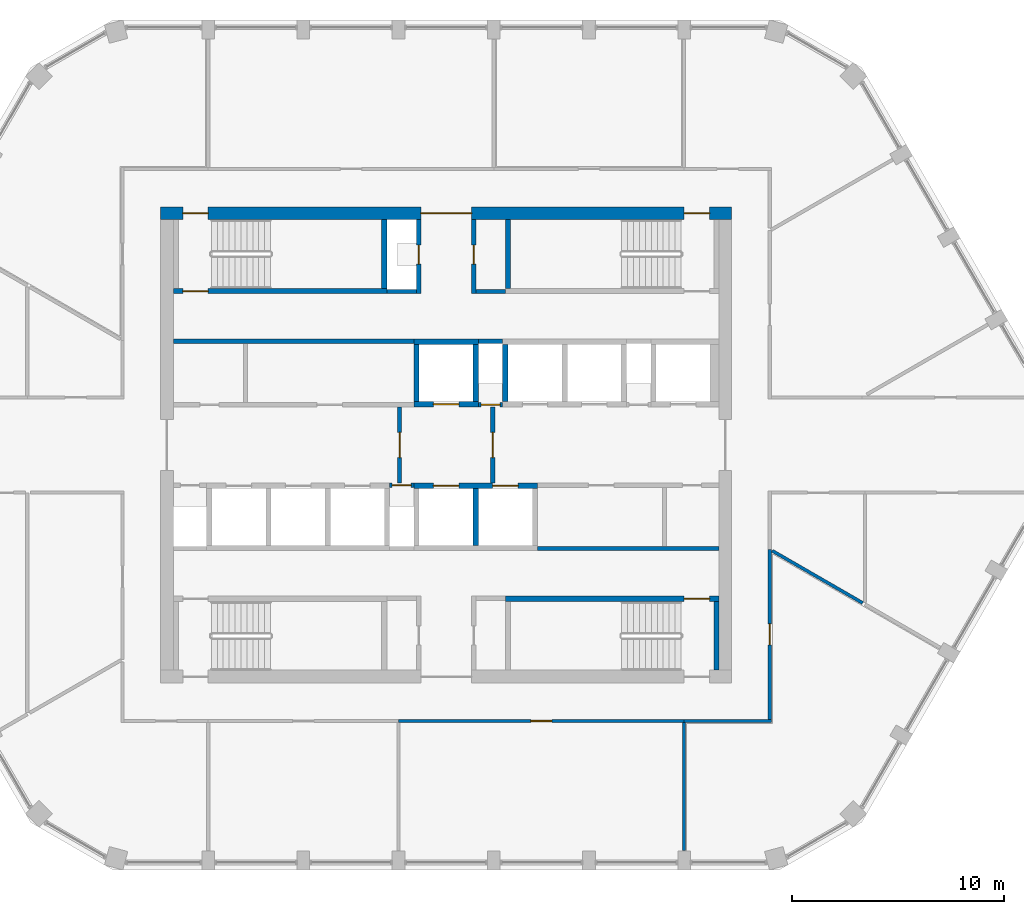
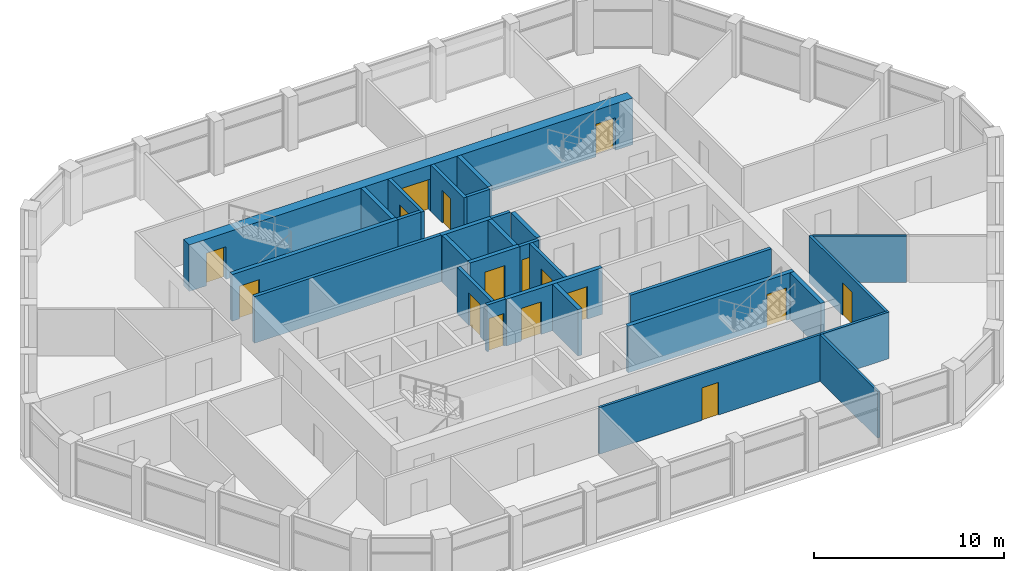
# One storey, part 10 of 15: 29 walls, 16 doors, 16 openings.
"""IFC4 building model written with IfcOpenShell, lengths in metres."""

from ifc_helpers import new_model, si_unit, direction, frame, frame_2d, origin, place, context, subcontext, project, spatial, polyline, rectangle, outline, extrude, material, layer, layer_set, type_object, element, fill, save


model = new_model("IFC4")

# Units and contexts
model_context = context("Model", 3, precision=1e-05, world=origin(), true_north=direction((0.0, 1.0)))
body_context = subcontext(model_context, "Body", "Model", "MODEL_VIEW")
ifc_project = project(units=[si_unit("LENGTHUNIT", "METRE"), si_unit("AREAUNIT", "SQUARE_METRE"), si_unit("VOLUMEUNIT", "CUBIC_METRE"), si_unit("PLANEANGLEUNIT", "RADIAN"), si_unit("MASSUNIT", "GRAM", prefix="KILO")], contexts=[model_context])

# Site, building, storey
site_placement = place(None, origin())
site = spatial("IfcSite", under=ifc_project, at=site_placement, CompositionType="ELEMENT")
building_placement = place(site_placement, origin())
building = spatial("IfcBuilding", under=site, at=building_placement, Name="Dhurran Vertical Campus", CompositionType="ELEMENT")
storey_placement = place(building_placement, frame((0.0, 0.0, 306.0)))
storey = spatial("IfcBuildingStorey", under=building, at=storey_placement, Name="L76", CompositionType="ELEMENT", Elevation=306.0)

# Wall, openings, doors
ifc_material_1 = material(Name="Concrete C50/60", Category="concrete")
ifc_layer_1 = layer(ifc_material_1, 0.60009765625)
ifc_layer_set_1 = layer_set([ifc_layer_1], Name="Concrete C50/60")
wall_type_1 = type_object("IfcWallType", Name="co-CORE-WALL-C2-600", PredefinedType="SHEAR", material=ifc_layer_set_1)
wall_1_placement = place(storey_placement, frame((-13.5, 10.949951171875, 0.0), z_axis=(0.0, 0.0, 1.0), x_axis=(1.0, 0.0, 0.0)))
wall_1 = element("IfcWall", 1, at=wall_1_placement, inside=storey, type_object=wall_type_1, Name="Core wall N L76", PredefinedType="SHEAR", context=body_context, shape_type="SweptSolid", body=[
    extrude(rectangle(XDim=27.0, YDim=0.60009765625, at=frame_2d((13.5, 0.0))), origin(), (0.0, 0.0, 1.0), 3.0),
])
opening_1_placement = place(wall_1_placement, frame((12.300048828125, 0.0, 0.0)))
opening_1 = element("IfcOpeningElement", 2, at=opening_1_placement, cuts=wall_1, Name="Opening CV1", PredefinedType="OPENING", context=body_context, shape_type="SweptSolid", body=[
    extrude(rectangle(XDim=2.39990234375, YDim=2.10009765625, at=frame_2d((1.199951171875, 1.050048828125))), frame((0.0, 0.31005859375, 0.0), z_axis=(0.0, -1.0, 0.0), x_axis=(1.0, 0.0, 0.0)), (0.0, 0.0, 1.0), 0.6201171875),
])
opening_2_placement = place(wall_1_placement, frame((1.050048828125, 0.0, 0.0)))
opening_2 = element("IfcOpeningElement", 3, at=opening_2_placement, cuts=wall_1, Name="Opening XD1", PredefinedType="OPENING", context=body_context, shape_type="SweptSolid", body=[
    extrude(rectangle(XDim=1.199951171875, YDim=2.10009765625, at=frame_2d((0.60009765625, 1.050048828125))), frame((0.0, 0.31005859375, 0.0), z_axis=(0.0, -1.0, 0.0), x_axis=(1.0, 0.0, 0.0)), (0.0, 0.0, 1.0), 0.6201171875),
])
opening_3_placement = place(wall_1_placement, frame((24.75, 0.0, 0.0)))
opening_3 = element("IfcOpeningElement", 4, at=opening_3_placement, cuts=wall_1, Name="Opening XD2", PredefinedType="OPENING", context=body_context, shape_type="SweptSolid", body=[
    extrude(rectangle(XDim=1.199951171875, YDim=2.10009765625, at=frame_2d((0.60009765625, 1.050048828125))), frame((0.0, 0.31005859375, 0.0), z_axis=(0.0, -1.0, 0.0), x_axis=(1.0, 0.0, 0.0)), (0.0, 0.0, 1.0), 0.6201171875),
])
ifc_material_2 = material(Name="Fire-rated glazed door set")
door_type_1 = type_object("IfcDoorType", Name="co-D-LOBBY 2400x2100", OperationType="DOUBLE_DOOR_DOUBLE_SWING", PredefinedType="DOOR", material=ifc_material_2)
door_1_placement = place(opening_1_placement, origin())
door_1 = element("IfcDoor", 5, at=door_1_placement, inside=storey, type_object=door_type_1, Name="Core vestibule door N L76", OperationType="DOUBLE_DOOR_DOUBLE_SWING", OverallHeight=2.10009765625, OverallWidth=2.39990234375, PredefinedType="DOOR", context=body_context, shape_type="SweptSolid", body=[
    extrude(rectangle(XDim=2.39990234375, YDim=2.10009765625, at=frame_2d((1.199951171875, 1.050048828125))), frame((0.0, 0.02490234375, 0.0), z_axis=(0.0, -1.0, 0.0), x_axis=(1.0, 0.0, 0.0)), (0.0, 0.0, 1.0), 0.050048828125),
])
fill(opening_1, door_1)
ifc_material_3 = material(Name="Fire-rated steel door set", Category="steel")
door_type_2 = type_object("IfcDoorType", Name="co-D-STAIR-EXIT 1200x2100", OperationType="SINGLE_SWING_RIGHT", PredefinedType="DOOR", material=ifc_material_3)
door_2_placement = place(opening_2_placement, origin())
door_2 = element("IfcDoor", 6, at=door_2_placement, inside=storey, type_object=door_type_2, Name="Stair ST1 exit door L76", OperationType="SINGLE_SWING_RIGHT", OverallHeight=2.10009765625, OverallWidth=1.199951171875, PredefinedType="DOOR", context=body_context, shape_type="SweptSolid", body=[
    extrude(rectangle(XDim=1.199951171875, YDim=2.10009765625, at=frame_2d((0.60009765625, 1.050048828125))), frame((0.0, 0.02490234375, 0.0), z_axis=(0.0, -1.0, 0.0), x_axis=(1.0, 0.0, 0.0)), (0.0, 0.0, 1.0), 0.050048828125),
])
fill(opening_2, door_2)
door_3_placement = place(opening_3_placement, origin())
door_3 = element("IfcDoor", 7, at=door_3_placement, inside=storey, type_object=door_type_2, Name="Stair ST2 exit door L76", OperationType="SINGLE_SWING_RIGHT", OverallHeight=2.10009765625, OverallWidth=1.199951171875, PredefinedType="DOOR", context=body_context, shape_type="SweptSolid", body=[
    extrude(rectangle(XDim=1.199951171875, YDim=2.10009765625, at=frame_2d((0.60009765625, 1.050048828125))), frame((0.0, 0.02490234375, 0.0), z_axis=(0.0, -1.0, 0.0), x_axis=(1.0, 0.0, 0.0)), (0.0, 0.0, 1.0), 0.050048828125),
])
fill(opening_3, door_3)

# Wall, opening, door
ifc_material_4 = material(Name="Fire-rated masonry blockwork", Category="masonry")
ifc_layer_2 = layer(ifc_material_4, 0.199951171875)
ifc_layer_set_2 = layer_set([ifc_layer_2], Name="Fire-rated masonry blockwork")
wall_type_2 = type_object("IfcWallType", Name="co-FIRE-PARTITION-200", PredefinedType="PARTITIONING", material=ifc_layer_set_2)
wall_2_placement = place(storey_placement, frame((-2.199951171875, -1.800048828125, 0.0), z_axis=(0.0, 0.0, 1.0), x_axis=(0.0, 1.0, 0.0)))
wall_2 = element("IfcWall", 8, at=wall_2_placement, inside=storey, type_object=wall_type_2, Name="Firefighting lobby wall W L76", PredefinedType="PARTITIONING", context=body_context, shape_type="SweptSolid", body=[
    extrude(rectangle(XDim=3.60009765625, YDim=0.199951171875, at=frame_2d((1.800048828125, 0.0))), origin(), (0.0, 0.0, 1.0), 3.0),
])
opening_4_placement = place(wall_2_placement, frame((1.199951171875, 0.0, 0.0)))
opening_4 = element("IfcOpeningElement", 9, at=opening_4_placement, cuts=wall_2, Name="Opening FL1", PredefinedType="OPENING", context=body_context, shape_type="SweptSolid", body=[
    extrude(rectangle(XDim=1.199951171875, YDim=2.10009765625, at=frame_2d((0.60009765625, 1.050048828125))), frame((0.0, 0.10986328125, 0.0), z_axis=(0.0, -1.0, 0.0), x_axis=(1.0, 0.0, 0.0)), (0.0, 0.0, 1.0), 0.219970703125),
])
ifc_material_5 = material(Name="Fire-rated steel door set", Category="steel")
door_type_3 = type_object("IfcDoorType", Name="co-D-FFLOBBY 1200x2100", OperationType="SINGLE_SWING_LEFT", PredefinedType="DOOR", material=ifc_material_5)
door_4_placement = place(opening_4_placement, origin())
door_4 = element("IfcDoor", 10, at=door_4_placement, inside=storey, type_object=door_type_3, Name="Firefighting lobby door W L76", OperationType="SINGLE_SWING_LEFT", OverallHeight=2.10009765625, OverallWidth=1.199951171875, PredefinedType="DOOR", context=body_context, shape_type="SweptSolid", body=[
    extrude(rectangle(XDim=1.199951171875, YDim=2.10009765625, at=frame_2d((0.60009765625, 1.050048828125))), frame((0.0, 0.02490234375, 0.0), z_axis=(0.0, -1.0, 0.0), x_axis=(1.0, 0.0, 0.0)), (0.0, 0.0, 1.0), 0.050048828125),
])
fill(opening_4, door_4)

wall_3_placement = place(storey_placement, frame((2.199951171875, -1.800048828125, 0.0), z_axis=(0.0, 0.0, 1.0), x_axis=(0.0, 1.0, 0.0)))
wall_3 = element("IfcWall", 11, at=wall_3_placement, inside=storey, type_object=wall_type_2, Name="Firefighting lobby wall E L76", PredefinedType="PARTITIONING", context=body_context, shape_type="SweptSolid", body=[
    extrude(rectangle(XDim=3.60009765625, YDim=0.199951171875, at=frame_2d((1.800048828125, 0.0))), origin(), (0.0, 0.0, 1.0), 3.0),
])
opening_5_placement = place(wall_3_placement, frame((1.199951171875, 0.0, 0.0)))
opening_5 = element("IfcOpeningElement", 12, at=opening_5_placement, cuts=wall_3, Name="Opening FL2", PredefinedType="OPENING", context=body_context, shape_type="SweptSolid", body=[
    extrude(rectangle(XDim=1.199951171875, YDim=2.10009765625, at=frame_2d((0.60009765625, 1.050048828125))), frame((0.0, 0.10986328125, 0.0), z_axis=(0.0, -1.0, 0.0), x_axis=(1.0, 0.0, 0.0)), (0.0, 0.0, 1.0), 0.219970703125),
])
door_5_placement = place(opening_5_placement, origin())
door_5 = element("IfcDoor", 13, at=door_5_placement, inside=storey, type_object=door_type_3, Name="Firefighting lobby door E L76", OperationType="SINGLE_SWING_LEFT", OverallHeight=2.10009765625, OverallWidth=1.199951171875, PredefinedType="DOOR", context=body_context, shape_type="SweptSolid", body=[
    extrude(rectangle(XDim=1.199951171875, YDim=2.10009765625, at=frame_2d((0.60009765625, 1.050048828125))), frame((0.0, 0.02490234375, 0.0), z_axis=(0.0, -1.0, 0.0), x_axis=(1.0, 0.0, 0.0)), (0.0, 0.0, 1.0), 0.050048828125),
])
fill(opening_5, door_5)

# Walls
for number, where, z_axis, x_axis, name in (
    (14, (-2.800048828125, 7.25, 0.0), (0.0, 0.0, 1.0), (1.0, 0.0, 0.0), "Core partition sl-NW-S L76"),
    (15, (1.39990234375, 7.25, 0.0), (0.0, 0.0, 1.0), (1.0, 0.0, 0.0), "Core partition sl-NE-S L76"),
):
    element("IfcWall", number, at=place(storey_placement, frame(where, z_axis=z_axis, x_axis=x_axis)), inside=storey, type_object=wall_type_2, Name=name, PredefinedType="PARTITIONING", context=body_context, shape_type="SweptSolid", body=[
        extrude(rectangle(XDim=1.400146484375, YDim=0.199951171875, at=frame_2d((0.7001953125, 0.0))), origin(), (0.0, 0.0, 1.0), 3.0),
    ])

# Wall, opening, door
wall_4_placement = place(storey_placement, frame((-1.300048828125, 7.14990234375, 0.0), z_axis=(0.0, 0.0, 1.0), x_axis=(0.0, 1.0, 0.0)))
wall_4 = element("IfcWall", 16, at=wall_4_placement, inside=storey, type_object=wall_type_2, Name="Core partition vest-NW L76", PredefinedType="PARTITIONING", context=body_context, shape_type="SweptSolid", body=[
    extrude(rectangle(XDim=3.5, YDim=0.199951171875, at=frame_2d((1.75, 0.0))), origin(), (0.0, 0.0, 1.0), 3.0),
])
opening_6_placement = place(wall_4_placement, frame((1.39990234375, 0.0, 0.0)))
opening_6 = element("IfcOpeningElement", 17, at=opening_6_placement, cuts=wall_4, Name="Opening T22-C3", PredefinedType="OPENING", context=body_context, shape_type="SweptSolid", body=[
    extrude(rectangle(XDim=0.89990234375, YDim=2.10009765625, at=frame_2d((0.449951171875, 1.050048828125))), frame((0.0, 0.10986328125, 0.0), z_axis=(0.0, -1.0, 0.0), x_axis=(1.0, 0.0, 0.0)), (0.0, 0.0, 1.0), 0.219970703125),
])
ifc_material_6 = material(Name="Fire-rated timber door set", Category="wood")
door_type_4 = type_object("IfcDoorType", Name="co-D-ROOM 900x2100", OperationType="SINGLE_SWING_LEFT", PredefinedType="DOOR", material=ifc_material_6)
door_6_placement = place(opening_6_placement, origin())
door_6 = element("IfcDoor", 18, at=door_6_placement, inside=storey, type_object=door_type_4, Name="Electrical riser door L76", OperationType="SINGLE_SWING_LEFT", OverallHeight=2.10009765625, OverallWidth=0.89990234375, PredefinedType="DOOR", context=body_context, shape_type="SweptSolid", body=[
    extrude(rectangle(XDim=0.89990234375, YDim=2.10009765625, at=frame_2d((0.449951171875, 1.050048828125))), frame((0.0, 0.02490234375, 0.0), z_axis=(0.0, -1.0, 0.0), x_axis=(1.0, 0.0, 0.0)), (0.0, 0.0, 1.0), 0.050048828125),
])
fill(opening_6, door_6)

wall_5_placement = place(storey_placement, frame((1.300048828125, 7.14990234375, 0.0), z_axis=(0.0, 0.0, 1.0), x_axis=(0.0, 1.0, 0.0)))
wall_5 = element("IfcWall", 19, at=wall_5_placement, inside=storey, type_object=wall_type_2, Name="Core partition vest-NE L76", PredefinedType="PARTITIONING", context=body_context, shape_type="SweptSolid", body=[
    extrude(rectangle(XDim=3.5, YDim=0.199951171875, at=frame_2d((1.75, 0.0))), origin(), (0.0, 0.0, 1.0), 3.0),
])
opening_7_placement = place(wall_5_placement, frame((1.39990234375, 0.0, 0.0)))
opening_7 = element("IfcOpeningElement", 20, at=opening_7_placement, cuts=wall_5, Name="Opening T22-C4", PredefinedType="OPENING", context=body_context, shape_type="SweptSolid", body=[
    extrude(rectangle(XDim=0.89990234375, YDim=2.10009765625, at=frame_2d((0.449951171875, 1.050048828125))), frame((0.0, 0.10986328125, 0.0), z_axis=(0.0, -1.0, 0.0), x_axis=(1.0, 0.0, 0.0)), (0.0, 0.0, 1.0), 0.219970703125),
])
door_7_placement = place(opening_7_placement, origin())
door_7 = element("IfcDoor", 21, at=door_7_placement, inside=storey, type_object=door_type_4, Name="Print room door L76", OperationType="SINGLE_SWING_LEFT", OverallHeight=2.10009765625, OverallWidth=0.89990234375, PredefinedType="DOOR", context=body_context, shape_type="SweptSolid", body=[
    extrude(rectangle(XDim=0.89990234375, YDim=2.10009765625, at=frame_2d((0.449951171875, 1.050048828125))), frame((0.0, 0.02490234375, 0.0), z_axis=(0.0, -1.0, 0.0), x_axis=(1.0, 0.0, 0.0)), (0.0, 0.0, 1.0), 0.050048828125),
])
fill(opening_7, door_7)

# Wall
wall_6_placement = place(storey_placement, frame((-12.89990234375, 4.89990234375, 0.0), z_axis=(0.0, 0.0, 1.0), x_axis=(1.0, 0.0, 0.0)))
element("IfcWall", 22, at=wall_6_placement, inside=storey, type_object=wall_type_2, Name="Core partition fr-N0-b L76", PredefinedType="PARTITIONING", context=body_context, shape_type="SweptSolid", body=[
    extrude(rectangle(XDim=11.375, YDim=0.199951171875, at=frame_2d((5.6875, 0.0))), origin(), (0.0, 0.0, 1.0), 3.0),
])

# Wall, opening, door
wall_7_placement = place(storey_placement, frame((1.52490234375, 1.89990234375, 0.0), z_axis=(0.0, 0.0, 1.0), x_axis=(1.0, 0.0, 0.0)))
wall_7 = element("IfcWall", 23, at=wall_7_placement, inside=storey, type_object=wall_type_2, Name="Core partition fr-N1-f L76", PredefinedType="PARTITIONING", context=body_context, shape_type="SweptSolid", body=[
    extrude(rectangle(XDim=1.150146484375, YDim=0.199951171875, at=frame_2d((0.5751953125, 0.0))), origin(), (0.0, 0.0, 1.0), 3.0),
])
opening_8_placement = place(wall_7_placement, frame((0.125, 0.0, 0.0)))
opening_8 = element("IfcOpeningElement", 24, at=opening_8_placement, cuts=wall_7, Name="Opening T22-C7", PredefinedType="OPENING", context=body_context, shape_type="SweptSolid", body=[
    extrude(rectangle(XDim=0.89990234375, YDim=2.10009765625, at=frame_2d((0.449951171875, 1.050048828125))), frame((0.0, 0.10986328125, 0.0), z_axis=(0.0, -1.0, 0.0), x_axis=(1.0, 0.0, 0.0)), (0.0, 0.0, 1.0), 0.219970703125),
])
door_8_placement = place(opening_8_placement, origin())
door_8 = element("IfcDoor", 25, at=door_8_placement, inside=storey, type_object=door_type_4, Name="Water riser door L76", OperationType="SINGLE_SWING_LEFT", OverallHeight=2.10009765625, OverallWidth=0.89990234375, PredefinedType="DOOR", context=body_context, shape_type="SweptSolid", body=[
    extrude(rectangle(XDim=0.89990234375, YDim=2.10009765625, at=frame_2d((0.449951171875, 1.050048828125))), frame((0.0, 0.02490234375, 0.0), z_axis=(0.0, -1.0, 0.0), x_axis=(1.0, 0.0, 0.0)), (0.0, 0.0, 1.0), 0.050048828125),
])
fill(opening_8, door_8)

# Wall
wall_8_placement = place(storey_placement, frame((1.52490234375, 4.89990234375, 0.0), z_axis=(0.0, 0.0, 1.0), x_axis=(1.0, 0.0, 0.0)))
element("IfcWall", 26, at=wall_8_placement, inside=storey, type_object=wall_type_2, Name="Core partition fr-N1-b L76", PredefinedType="PARTITIONING", context=body_context, shape_type="SweptSolid", body=[
    extrude(rectangle(XDim=1.150146484375, YDim=0.199951171875, at=frame_2d((0.5751953125, 0.0))), origin(), (0.0, 0.0, 1.0), 3.0),
])

# Wall, opening, door
wall_9_placement = place(storey_placement, frame((-2.675048828125, -1.89990234375, 0.0), z_axis=(0.0, 0.0, 1.0), x_axis=(1.0, 0.0, 0.0)))
wall_9 = element("IfcWall", 27, at=wall_9_placement, inside=storey, type_object=wall_type_2, Name="Core partition fr-S1-f L76", PredefinedType="PARTITIONING", context=body_context, shape_type="SweptSolid", body=[
    extrude(rectangle(XDim=1.150146484375, YDim=0.199951171875, at=frame_2d((0.5751953125, 0.0))), origin(), (0.0, 0.0, 1.0), 3.0),
])
opening_9_placement = place(wall_9_placement, frame((0.125, 0.0, 0.0)))
opening_9 = element("IfcOpeningElement", 28, at=opening_9_placement, cuts=wall_9, Name="Opening T22-C10", PredefinedType="OPENING", context=body_context, shape_type="SweptSolid", body=[
    extrude(rectangle(XDim=0.89990234375, YDim=2.10009765625, at=frame_2d((0.449951171875, 1.050048828125))), frame((0.0, 0.10986328125, 0.0), z_axis=(0.0, -1.0, 0.0), x_axis=(1.0, 0.0, 0.0)), (0.0, 0.0, 1.0), 0.219970703125),
])
door_9_placement = place(opening_9_placement, origin())
door_9 = element("IfcDoor", 29, at=door_9_placement, inside=storey, type_object=door_type_4, Name="Electrical riser door L76", OperationType="SINGLE_SWING_LEFT", OverallHeight=2.10009765625, OverallWidth=0.89990234375, PredefinedType="DOOR", context=body_context, shape_type="SweptSolid", body=[
    extrude(rectangle(XDim=0.89990234375, YDim=2.10009765625, at=frame_2d((0.449951171875, 1.050048828125))), frame((0.0, 0.02490234375, 0.0), z_axis=(0.0, -1.0, 0.0), x_axis=(1.0, 0.0, 0.0)), (0.0, 0.0, 1.0), 0.050048828125),
])
fill(opening_9, door_9)

# Wall
wall_10_placement = place(storey_placement, frame((4.324951171875, -4.89990234375, 0.0), z_axis=(0.0, 0.0, 1.0), x_axis=(1.0, 0.0, 0.0)))
element("IfcWall", 30, at=wall_10_placement, inside=storey, type_object=wall_type_2, Name="Core partition fr-S2-b L76", PredefinedType="PARTITIONING", context=body_context, shape_type="SweptSolid", body=[
    extrude(rectangle(XDim=8.574951171875, YDim=0.199951171875, at=frame_2d((4.28759765625, 0.0))), origin(), (0.0, 0.0, 1.0), 3.0),
])

# Wall, opening, door
ifc_material_7 = material(Name="Concrete C50/60", Category="concrete")
ifc_layer_3 = layer(ifc_material_7, 0.25)
ifc_layer_set_3 = layer_set([ifc_layer_3], Name="Concrete C50/60")
wall_type_3 = type_object("IfcWallType", Name="co-SHAFT-FRONT-250", PredefinedType="SHEAR", material=ifc_layer_set_3)
wall_11_placement = place(storey_placement, frame((-1.52490234375, 1.925048828125, 0.0), z_axis=(0.0, 0.0, 1.0), x_axis=(1.0, 0.0, 0.0)))
wall_11 = element("IfcWall", 31, at=wall_11_placement, inside=storey, type_object=wall_type_3, Name="Lift landing wall N L76", PredefinedType="SHEAR", context=body_context, shape_type="SweptSolid", body=[
    extrude(rectangle(XDim=3.0498046875, YDim=0.25, at=frame_2d((1.52490234375, 0.0))), origin(), (0.0, 0.0, 1.0), 3.0),
])
opening_10_placement = place(wall_11_placement, frame((0.925048828125, 0.0, 0.0)))
opening_10 = element("IfcOpeningElement", 32, at=opening_10_placement, cuts=wall_11, Name="Opening LD", PredefinedType="OPENING", context=body_context, shape_type="SweptSolid", body=[
    extrude(rectangle(XDim=1.199951171875, YDim=2.10009765625, at=frame_2d((0.60009765625, 1.050048828125))), frame((0.0, 0.135009765625, 0.0), z_axis=(0.0, -1.0, 0.0), x_axis=(1.0, 0.0, 0.0)), (0.0, 0.0, 1.0), 0.27001953125),
])
ifc_material_8 = material(Name="Stainless steel landing door", Category="steel")
door_type_5 = type_object("IfcDoorType", Name="co-D-LANDING 1200x2100", OperationType="DOUBLE_DOOR_SLIDING", PredefinedType="DOOR", material=ifc_material_8)
door_10_placement = place(opening_10_placement, origin())
door_10 = element("IfcDoor", 33, at=door_10_placement, inside=storey, type_object=door_type_5, Name="Landing door FF1 L76", OperationType="DOUBLE_DOOR_SLIDING", OverallHeight=2.10009765625, OverallWidth=1.199951171875, PredefinedType="DOOR", context=body_context, shape_type="SweptSolid", body=[
    extrude(rectangle(XDim=1.199951171875, YDim=2.10009765625, at=frame_2d((0.60009765625, 1.050048828125))), frame((0.0, 0.02490234375, 0.0), z_axis=(0.0, -1.0, 0.0), x_axis=(1.0, 0.0, 0.0)), (0.0, 0.0, 1.0), 0.050048828125),
])
fill(opening_10, door_10)

# Wall, openings, doors
wall_12_placement = place(storey_placement, frame((-1.52490234375, -1.925048828125, 0.0), z_axis=(0.0, 0.0, 1.0), x_axis=(1.0, 0.0, 0.0)))
wall_12 = element("IfcWall", 34, at=wall_12_placement, inside=storey, type_object=wall_type_3, Name="Lift landing wall S L76", PredefinedType="SHEAR", context=body_context, shape_type="SweptSolid", body=[
    extrude(rectangle(XDim=5.849853515625, YDim=0.25, at=frame_2d((2.9248046875, 0.0))), origin(), (0.0, 0.0, 1.0), 3.0),
])
opening_11_placement = place(wall_12_placement, frame((0.925048828125, 0.0, 0.0)))
opening_11 = element("IfcOpeningElement", 35, at=opening_11_placement, cuts=wall_12, Name="Opening LD", PredefinedType="OPENING", context=body_context, shape_type="SweptSolid", body=[
    extrude(rectangle(XDim=1.199951171875, YDim=2.10009765625, at=frame_2d((0.60009765625, 1.050048828125))), frame((0.0, 0.135009765625, 0.0), z_axis=(0.0, -1.0, 0.0), x_axis=(1.0, 0.0, 0.0)), (0.0, 0.0, 1.0), 0.27001953125),
])
opening_12_placement = place(wall_12_placement, frame((3.72509765625, 0.0, 0.0)))
opening_12 = element("IfcOpeningElement", 36, at=opening_12_placement, cuts=wall_12, Name="Opening LD", PredefinedType="OPENING", context=body_context, shape_type="SweptSolid", body=[
    extrude(rectangle(XDim=1.199951171875, YDim=2.10009765625, at=frame_2d((0.60009765625, 1.050048828125))), frame((0.0, 0.135009765625, 0.0), z_axis=(0.0, -1.0, 0.0), x_axis=(1.0, 0.0, 0.0)), (0.0, 0.0, 1.0), 0.27001953125),
])
door_11_placement = place(opening_11_placement, origin())
door_11 = element("IfcDoor", 37, at=door_11_placement, inside=storey, type_object=door_type_5, Name="Landing door FF2 L76", OperationType="DOUBLE_DOOR_SLIDING", OverallHeight=2.10009765625, OverallWidth=1.199951171875, PredefinedType="DOOR", context=body_context, shape_type="SweptSolid", body=[
    extrude(rectangle(XDim=1.199951171875, YDim=2.10009765625, at=frame_2d((0.60009765625, 1.050048828125))), frame((0.0, 0.02490234375, 0.0), z_axis=(0.0, -1.0, 0.0), x_axis=(1.0, 0.0, 0.0)), (0.0, 0.0, 1.0), 0.050048828125),
])
fill(opening_11, door_11)
door_12_placement = place(opening_12_placement, origin())
door_12 = element("IfcDoor", 38, at=door_12_placement, inside=storey, type_object=door_type_5, Name="Landing door SV1 L76", OperationType="DOUBLE_DOOR_SLIDING", OverallHeight=2.10009765625, OverallWidth=1.199951171875, PredefinedType="DOOR", context=body_context, shape_type="SweptSolid", body=[
    extrude(rectangle(XDim=1.199951171875, YDim=2.10009765625, at=frame_2d((0.60009765625, 1.050048828125))), frame((0.0, 0.02490234375, 0.0), z_axis=(0.0, -1.0, 0.0), x_axis=(1.0, 0.0, 0.0)), (0.0, 0.0, 1.0), 0.050048828125),
])
fill(opening_12, door_12)

# Walls
ifc_material_9 = material(Name="Concrete C50/60", Category="concrete")
ifc_layer_4 = layer(ifc_material_9, 0.25)
ifc_layer_set_4 = layer_set([ifc_layer_4], Name="Concrete C50/60")
wall_type_4 = type_object("IfcWallType", Name="co-SHAFT-MASS-250", PredefinedType="SHEAR", material=ifc_layer_set_4)
wall_13_placement = place(storey_placement, origin())
element("IfcWall", 39, at=wall_13_placement, inside=storey, type_object=wall_type_4, Name="Lift shaft wall N L76 1", PredefinedType="SHEAR", context=body_context, shape_type="SweptSolid", body=[
    extrude(outline(polyline([(-1.52490234375, 4.75), (1.52490234375, 4.75), (1.52490234375, 5.0), (-1.52490234375, 5.0), (-1.52490234375, 4.75)])), origin(), (0.0, 0.0, 1.0), 3.0),
])
wall_14_placement = place(storey_placement, origin())
element("IfcWall", 40, at=wall_14_placement, inside=storey, type_object=wall_type_4, Name="Lift shaft wall N L76 4", PredefinedType="SHEAR", context=body_context, shape_type="SweptSolid", body=[
    extrude(outline(polyline([(-1.52490234375, 2.050048828125), (-1.27490234375, 2.050048828125), (-1.27490234375, 4.75), (-1.52490234375, 4.75), (-1.52490234375, 2.050048828125)])), origin(), (0.0, 0.0, 1.0), 3.0),
])
wall_15_placement = place(storey_placement, origin())
element("IfcWall", 41, at=wall_15_placement, inside=storey, type_object=wall_type_4, Name="Lift shaft wall N L76 5", PredefinedType="SHEAR", context=body_context, shape_type="SweptSolid", body=[
    extrude(outline(polyline([(1.27490234375, 2.050048828125), (1.52490234375, 2.050048828125), (1.52490234375, 4.75), (1.27490234375, 4.75), (1.27490234375, 2.050048828125)])), origin(), (0.0, 0.0, 1.0), 3.0),
])
wall_16_placement = place(storey_placement, origin())
element("IfcWall", 42, at=wall_16_placement, inside=storey, type_object=wall_type_4, Name="Lift shaft wall N L76 6", PredefinedType="SHEAR", context=body_context, shape_type="SweptSolid", body=[
    extrude(outline(polyline([(2.675048828125, 2.050048828125), (2.925048828125, 2.050048828125), (2.925048828125, 4.75), (2.675048828125, 4.75), (2.675048828125, 2.050048828125)])), origin(), (0.0, 0.0, 1.0), 3.0),
])
wall_17_placement = place(storey_placement, origin())
element("IfcWall", 43, at=wall_17_placement, inside=storey, type_object=wall_type_4, Name="Lift shaft wall S L76 8", PredefinedType="SHEAR", context=body_context, shape_type="SweptSolid", body=[
    extrude(outline(polyline([(1.27490234375, -4.75), (1.52490234375, -4.75), (1.52490234375, -2.050048828125), (1.27490234375, -2.050048828125), (1.27490234375, -4.75)])), origin(), (0.0, 0.0, 1.0), 3.0),
])

# Wall, opening, door
ifc_material_10 = material(Name="Concrete C40/50", Category="concrete")
ifc_layer_5 = layer(ifc_material_10, 0.25)
ifc_layer_set_5 = layer_set([ifc_layer_5], Name="Concrete C40/50")
wall_type_5 = type_object("IfcWallType", Name="co-STAIR-WALL-250", PredefinedType="SHEAR", material=ifc_layer_set_5)
wall_18_placement = place(storey_placement, frame((-12.89990234375, 7.27490234375, 0.0), z_axis=(0.0, 0.0, 1.0), x_axis=(1.0, 0.0, 0.0)))
wall_18 = element("IfcWall", 44, at=wall_18_placement, inside=storey, type_object=wall_type_5, Name="Stair ST1 enclosure wall L76", PredefinedType="SHEAR", context=body_context, shape_type="SweptSolid", body=[
    extrude(rectangle(XDim=10.099853515625, YDim=0.25, at=frame_2d((5.0498046875, 0.0))), origin(), (0.0, 0.0, 1.0), 3.0),
])
opening_13_placement = place(wall_18_placement, frame((0.449951171875, 0.0, 0.0)))
opening_13 = element("IfcOpeningElement", 45, at=opening_13_placement, cuts=wall_18, Name="Opening SD1", PredefinedType="OPENING", context=body_context, shape_type="SweptSolid", body=[
    extrude(rectangle(XDim=1.199951171875, YDim=2.10009765625, at=frame_2d((0.60009765625, 1.050048828125))), frame((0.0, 0.135009765625, 0.0), z_axis=(0.0, -1.0, 0.0), x_axis=(1.0, 0.0, 0.0)), (0.0, 0.0, 1.0), 0.27001953125),
])
ifc_material_11 = material(Name="Fire-rated steel door set", Category="steel")
door_type_6 = type_object("IfcDoorType", Name="co-D-STAIR 1200x2100", OperationType="SINGLE_SWING_LEFT", PredefinedType="DOOR", material=ifc_material_11)
door_13_placement = place(opening_13_placement, origin())
door_13 = element("IfcDoor", 46, at=door_13_placement, inside=storey, type_object=door_type_6, Name="Stair ST1 door L76", OperationType="SINGLE_SWING_LEFT", OverallHeight=2.10009765625, OverallWidth=1.199951171875, PredefinedType="DOOR", context=body_context, shape_type="SweptSolid", body=[
    extrude(rectangle(XDim=1.199951171875, YDim=2.10009765625, at=frame_2d((0.60009765625, 1.050048828125))), frame((0.0, 0.02490234375, 0.0), z_axis=(0.0, -1.0, 0.0), x_axis=(1.0, 0.0, 0.0)), (0.0, 0.0, 1.0), 0.050048828125),
])
fill(opening_13, door_13)

# Walls
for number, where, z_axis, x_axis, name in (
    (47, (-2.925048828125, 7.39990234375, 0.0), (0.0, 0.0, 1.0), (0.0, 1.0, 0.0), "Stair ST1 enclosure wall L76"),
    (48, (2.925048828125, 7.39990234375, 0.0), (0.0, 0.0, 1.0), (0.0, 1.0, 0.0), "Stair ST2 enclosure wall L76"),
):
    element("IfcWall", number, at=place(storey_placement, frame(where, z_axis=z_axis, x_axis=x_axis)), inside=storey, type_object=wall_type_5, Name=name, PredefinedType="SHEAR", context=body_context, shape_type="SweptSolid", body=[
        extrude(rectangle(XDim=3.25, YDim=0.25, at=frame_2d((1.625, 0.0))), origin(), (0.0, 0.0, 1.0), 3.0),
    ])

# Wall, opening, door
wall_19_placement = place(storey_placement, frame((2.800048828125, -7.27490234375, 0.0), z_axis=(0.0, 0.0, 1.0), x_axis=(1.0, 0.0, 0.0)))
wall_19 = element("IfcWall", 49, at=wall_19_placement, inside=storey, type_object=wall_type_5, Name="Stair ST4 enclosure wall L76", PredefinedType="SHEAR", context=body_context, shape_type="SweptSolid", body=[
    extrude(rectangle(XDim=10.099853515625, YDim=0.25, at=frame_2d((5.0498046875, 0.0))), origin(), (0.0, 0.0, 1.0), 3.0),
])
opening_14_placement = place(wall_19_placement, frame((8.449951171875, 0.0, 0.0)))
opening_14 = element("IfcOpeningElement", 50, at=opening_14_placement, cuts=wall_19, Name="Opening SD4", PredefinedType="OPENING", context=body_context, shape_type="SweptSolid", body=[
    extrude(rectangle(XDim=1.199951171875, YDim=2.10009765625, at=frame_2d((0.60009765625, 1.050048828125))), frame((0.0, 0.135009765625, 0.0), z_axis=(0.0, -1.0, 0.0), x_axis=(1.0, 0.0, 0.0)), (0.0, 0.0, 1.0), 0.27001953125),
])
door_14_placement = place(opening_14_placement, origin())
door_14 = element("IfcDoor", 51, at=door_14_placement, inside=storey, type_object=door_type_6, Name="Stair ST4 door L76", OperationType="SINGLE_SWING_LEFT", OverallHeight=2.10009765625, OverallWidth=1.199951171875, PredefinedType="DOOR", context=body_context, shape_type="SweptSolid", body=[
    extrude(rectangle(XDim=1.199951171875, YDim=2.10009765625, at=frame_2d((0.60009765625, 1.050048828125))), frame((0.0, 0.02490234375, 0.0), z_axis=(0.0, -1.0, 0.0), x_axis=(1.0, 0.0, 0.0)), (0.0, 0.0, 1.0), 0.050048828125),
])
fill(opening_14, door_14)

# Wall
wall_20_placement = place(storey_placement, frame((12.77490234375, -10.64990234375, 0.0), z_axis=(0.0, 0.0, 1.0), x_axis=(0.0, 1.0, 0.0)))
element("IfcWall", 52, at=wall_20_placement, inside=storey, type_object=wall_type_5, Name="Stair ST4 enclosure wall L76", PredefinedType="SHEAR", context=body_context, shape_type="SweptSolid", body=[
    extrude(rectangle(XDim=3.25, YDim=0.25, at=frame_2d((1.625, 0.0))), origin(), (0.0, 0.0, 1.0), 3.0),
])

# Wall, opening, door
ifc_material_12 = material(Name="Gypsum board corridor wall on steel studs", Category="steel")
ifc_layer_6 = layer(ifc_material_12, 0.14990234375)
ifc_layer_set_6 = layer_set([ifc_layer_6], Name="Gypsum board corridor wall on steel studs")
wall_type_6 = type_object("IfcWallType", Name="fl-CW-150 corridor wall", PredefinedType="PARTITIONING", material=ifc_layer_set_6)
wall_21_placement = place(storey_placement, frame((-2.25, -13.050048828125, 0.0), z_axis=(0.0, 0.0, 1.0), x_axis=(1.0, 0.0, 0.0)))
wall_21 = element("IfcWall", 53, at=wall_21_placement, inside=storey, type_object=wall_type_6, Name="Partition 76-25", PredefinedType="PARTITIONING", context=body_context, shape_type="SweptSolid", body=[
    extrude(rectangle(XDim=13.5, YDim=0.14990234375, at=frame_2d((6.75, 0.0))), origin(), (0.0, 0.0, 1.0), 3.0),
])
opening_15_placement = place(wall_21_placement, frame((6.25, 0.0, 0.0)))
opening_15 = element("IfcOpeningElement", 54, at=opening_15_placement, cuts=wall_21, Name="Opening T22.10", PredefinedType="OPENING", context=body_context, shape_type="SweptSolid", body=[
    extrude(rectangle(XDim=1.0, YDim=2.10009765625, at=frame_2d((0.5, 1.050048828125))), frame((0.0, 0.0849609375, 0.0), z_axis=(0.0, -1.0, 0.0), x_axis=(1.0, 0.0, 0.0)), (0.0, 0.0, 1.0), 0.169921875),
])
ifc_material_13 = material(Name="Solid-core timber door set, fire-rated", Category="wood")
door_type_7 = type_object("IfcDoorType", Name="fl-D-1000x2100", OperationType="SINGLE_SWING_LEFT", PredefinedType="DOOR", material=ifc_material_13)
door_15_placement = place(opening_15_placement, origin())
door_15 = element("IfcDoor", 55, at=door_15_placement, inside=storey, type_object=door_type_7, Name="Door 76.10", OperationType="SINGLE_SWING_RIGHT", OverallHeight=2.10009765625, OverallWidth=1.0, PredefinedType="DOOR", context=body_context, shape_type="SweptSolid", body=[
    extrude(rectangle(XDim=1.0, YDim=2.10009765625, at=frame_2d((0.5, 1.050048828125))), frame((0.0, 0.02490234375, 0.0), z_axis=(0.0, -1.0, 0.0), x_axis=(1.0, 0.0, 0.0)), (0.0, 0.0, 1.0), 0.050048828125),
])
fill(opening_15, door_15)

# Wall
wall_22_placement = place(storey_placement, frame((11.25, -13.050048828125, 0.0), z_axis=(0.0, 0.0, 1.0), x_axis=(1.0, 0.0, 0.0)))
element("IfcWall", 56, at=wall_22_placement, inside=storey, type_object=wall_type_6, Name="Partition 76-29", PredefinedType="PARTITIONING", context=body_context, shape_type="SweptSolid", body=[
    extrude(rectangle(XDim=4.125, YDim=0.14990234375, at=frame_2d((2.0625, 0.0))), origin(), (0.0, 0.0, 1.0), 3.0),
])

# Wall, opening, door
wall_23_placement = place(storey_placement, frame((15.300048828125, -12.97509765625, 0.0), z_axis=(0.0, 0.0, 1.0), x_axis=(0.0, 1.0, 0.0)))
wall_23 = element("IfcWall", 57, at=wall_23_placement, inside=storey, type_object=wall_type_6, Name="Partition 76-32", PredefinedType="PARTITIONING", context=body_context, shape_type="SweptSolid", body=[
    extrude(rectangle(XDim=8.0390625, YDim=0.14990234375, at=frame_2d((4.01953125, 0.0))), origin(), (0.0, 0.0, 1.0), 3.0),
])
opening_16_placement = place(wall_23_placement, frame((3.51953125, 0.0, 0.0)))
opening_16 = element("IfcOpeningElement", 58, at=opening_16_placement, cuts=wall_23, Name="Opening T22.13", PredefinedType="OPENING", context=body_context, shape_type="SweptSolid", body=[
    extrude(rectangle(XDim=1.0, YDim=2.10009765625, at=frame_2d((0.5, 1.050048828125))), frame((0.0, 0.0849609375, 0.0), z_axis=(0.0, -1.0, 0.0), x_axis=(1.0, 0.0, 0.0)), (0.0, 0.0, 1.0), 0.169921875),
])
door_16_placement = place(opening_16_placement, origin())
door_16 = element("IfcDoor", 59, at=door_16_placement, inside=storey, type_object=door_type_7, Name="Door 76.13", OperationType="SINGLE_SWING_LEFT", OverallHeight=2.10009765625, OverallWidth=1.0, PredefinedType="DOOR", context=body_context, shape_type="SweptSolid", body=[
    extrude(rectangle(XDim=1.0, YDim=2.10009765625, at=frame_2d((0.5, 1.050048828125))), frame((0.0, 0.02490234375, 0.0), z_axis=(0.0, -1.0, 0.0), x_axis=(1.0, 0.0, 0.0)), (0.0, 0.0, 1.0), 0.050048828125),
])
fill(opening_16, door_16)

# Walls
ifc_material_14 = material(Name="Gypsum board partition on steel studs", Category="steel")
ifc_layer_7 = layer(ifc_material_14, 0.14990234375)
ifc_layer_set_7 = layer_set([ifc_layer_7], Name="Gypsum board partition on steel studs")
wall_type_7 = type_object("IfcWallType", Name="fl-PW-150 fixed partition", PredefinedType="PARTITIONING", material=ifc_layer_set_7)
wall_24_placement = place(storey_placement, frame((11.25, -13.125, 0.0), z_axis=(0.0, 0.0, 1.0), x_axis=(0.0, -1.0, 0.0)))
element("IfcWall", 60, at=wall_24_placement, inside=storey, type_object=wall_type_7, Name="Partition 76-28", PredefinedType="PARTITIONING", context=body_context, shape_type="SweptSolid", body=[
    extrude(rectangle(XDim=6.04345703125, YDim=0.14990234375, at=frame_2d((3.021728515625, 0.0))), origin(), (0.0, 0.0, 1.0), 3.0),
])
wall_25_placement = place(storey_placement, frame((15.41259765625, -5.0009765625, 0.0), z_axis=(0.0, 0.0, 1.0), x_axis=(0.866034039096, -0.499985042903, 0.0)))
element("IfcWall", 61, at=wall_25_placement, inside=storey, type_object=wall_type_7, Name="Partition 76-34", PredefinedType="PARTITIONING", context=body_context, shape_type="SweptSolid", body=[
    extrude(rectangle(XDim=4.936279296875, YDim=0.14990234375, at=frame_2d((2.46826171875, 0.0))), origin(), (0.0, 0.0, 1.0), 3.0),
])

save(model, "model.ifc")
